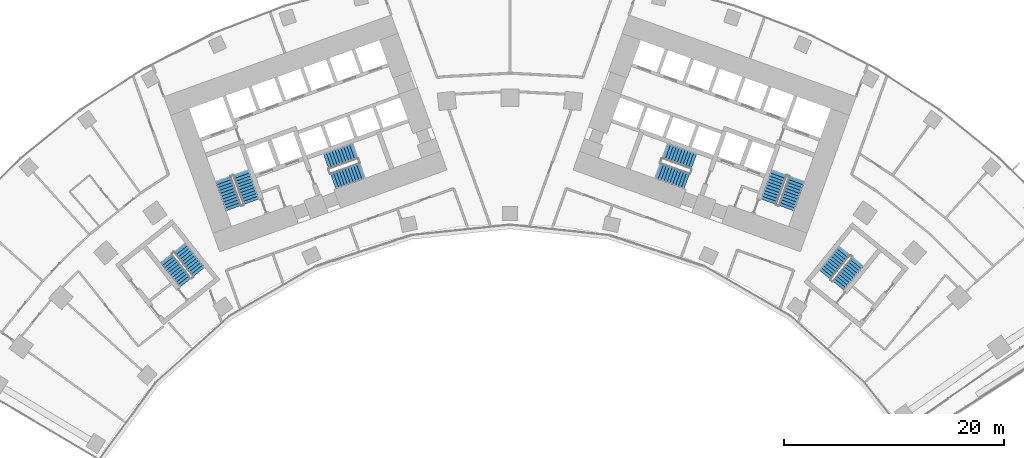
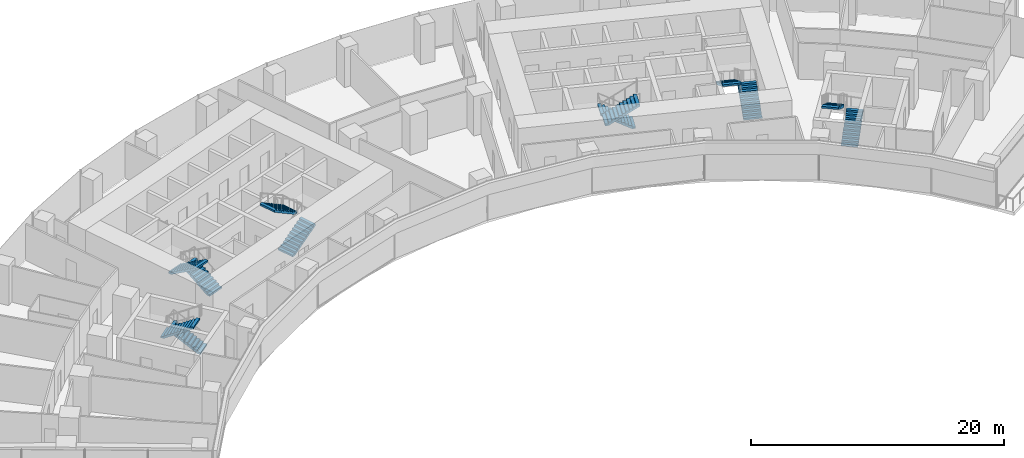
# One storey, part 19 of 21: 12 stair flights, 6 elements without a shape of their own.
"""IFC4 building model written with IfcOpenShell, lengths in metres."""

from ifc_helpers import new_model, si_unit, direction, frame, origin, place, context, subcontext, project, spatial, polyline, outline, extrude, material, type_object, element, aggregate, save


model = new_model("IFC4")

# Units and contexts
model_context = context("Model", 3, precision=1e-05, world=origin(), true_north=direction((0.0, 1.0)))
body_context = subcontext(model_context, "Body", "Model", "MODEL_VIEW")
ifc_project = project(units=[si_unit("LENGTHUNIT", "METRE"), si_unit("AREAUNIT", "SQUARE_METRE"), si_unit("VOLUMEUNIT", "CUBIC_METRE"), si_unit("PLANEANGLEUNIT", "RADIAN"), si_unit("MASSUNIT", "GRAM", prefix="KILO")], contexts=[model_context])

# Site, building, storey
site_placement = place(None, origin())
site = spatial("IfcSite", under=ifc_project, at=site_placement, CompositionType="ELEMENT")
building_placement = place(site_placement, origin())
building = spatial("IfcBuilding", under=site, at=building_placement, Name="Stone Belt Terrace Tower", CompositionType="ELEMENT")
storey_placement = place(building_placement, frame((0.0, 0.0, 56.60009765625)))
storey = spatial("IfcBuildingStorey", under=building, at=storey_placement, Name="L13", CompositionType="ELEMENT", Elevation=56.60009765625)

# Stair, stair flights
ifc_material = material(Name="Concrete B40", Category="concrete")
stair_type = type_object("IfcStairType", Name="Exit stair 1500", PredefinedType="HALF_TURN_STAIR", material=ifc_material)
stair_1_placement = place(storey_placement, origin())
stair_1 = element("IfcStair", 1, at=stair_1_placement, inside=storey, type_object=stair_type, Name="L13 Exit stair 1 core A", PredefinedType="HALF_TURN_STAIR")
stair_flight_type = type_object("IfcStairFlightType", Name="Stair flight 1500", PredefinedType="STRAIGHT", material=ifc_material)
stair_flight_1_placement = place(storey_placement, frame((-23.55322265625, 45.51318359375, 0.0), z_axis=(0.0, 0.0, 1.0), x_axis=(-0.338624396177, 0.940921632398, 0.0)))
stair_flight_1 = element("IfcStairFlight", 2, at=stair_flight_1_placement, type_object=stair_flight_type, Name="ST1A flight 1", NumberOfRisers=11, NumberOfTreads=10, PredefinedType="STRAIGHT", RiserHeight=0.172727273, TreadLength=0.28, context=body_context, shape_type="SweptSolid", body=[
    extrude(outline(polyline([(0.0, 0.0), (0.0, 0.172607421875), (0.280029296875, 0.172607421875), (0.280029296875, 0.345458984375), (0.56005859375, 0.345458984375), (0.56005859375, 0.51806640625), (0.840087890625, 0.51806640625), (0.840087890625, 0.69091796875), (1.1201171875, 0.69091796875), (1.1201171875, 0.863525390625), (1.39990234375, 0.863525390625), (1.39990234375, 1.036376953125), (1.679931640625, 1.036376953125), (1.679931640625, 1.208984375), (1.9599609375, 1.208984375), (1.9599609375, 1.3818359375), (2.239990234375, 1.3818359375), (2.239990234375, 1.554443359375), (2.52001953125, 1.554443359375), (2.52001953125, 1.727294921875), (2.800048828125, 1.727294921875), (2.800048828125, 1.89990234375), (2.800048828125, 1.551025390625), (0.285400390625, 0.0), (0.0, 0.0)])), frame((0.0, 0.75, 0.0), z_axis=(0.0, -1.0, 0.0), x_axis=(1.0, 0.0, 0.0)), (0.0, 0.0, 1.0), 1.5),
])
stair_flight_2_placement = place(storey_placement, frame((-26.10107421875, 47.572021484375, 1.89990234375), z_axis=(0.0, 0.0, 1.0), x_axis=(0.338624396177, -0.940921632398, 0.0)))
stair_flight_2 = element("IfcStairFlight", 3, at=stair_flight_2_placement, type_object=stair_flight_type, Name="ST1A flight 2", NumberOfRisers=11, NumberOfTreads=10, PredefinedType="STRAIGHT", RiserHeight=0.172727273, TreadLength=0.28, context=body_context, shape_type="SweptSolid", body=[
    extrude(outline(polyline([(0.0, 0.0), (0.0, 0.172607421875), (0.280029296875, 0.172607421875), (0.280029296875, 0.345458984375), (0.56005859375, 0.345458984375), (0.56005859375, 0.51806640625), (0.840087890625, 0.51806640625), (0.840087890625, 0.69091796875), (1.1201171875, 0.69091796875), (1.1201171875, 0.863525390625), (1.39990234375, 0.863525390625), (1.39990234375, 1.036376953125), (1.679931640625, 1.036376953125), (1.679931640625, 1.208984375), (1.9599609375, 1.208984375), (1.9599609375, 1.3818359375), (2.239990234375, 1.3818359375), (2.239990234375, 1.554443359375), (2.52001953125, 1.554443359375), (2.52001953125, 1.727294921875), (2.800048828125, 1.727294921875), (2.800048828125, 1.89990234375), (2.800048828125, 1.551025390625), (0.285400390625, 0.0), (0.0, 0.0)])), frame((0.0, 0.75, 0.0), z_axis=(0.0, -1.0, 0.0), x_axis=(1.0, 0.0, 0.0)), (0.0, 0.0, 1.0), 1.5),
])
aggregate(stair_1, [stair_flight_1, stair_flight_2])

stair_2_placement = place(storey_placement, origin())
stair_2 = element("IfcStair", 4, at=stair_2_placement, inside=storey, type_object=stair_type, Name="L13 Exit stair 2 core A", PredefinedType="HALF_TURN_STAIR")
stair_flight_3_placement = place(storey_placement, frame((-16.101318359375, 47.39794921875, 0.0), z_axis=(0.0, 0.0, 1.0), x_axis=(0.940921632398, 0.338624396177, 0.0)))
stair_flight_3 = element("IfcStairFlight", 5, at=stair_flight_3_placement, type_object=stair_flight_type, Name="ST2A flight 1", NumberOfRisers=11, NumberOfTreads=10, PredefinedType="STRAIGHT", RiserHeight=0.172727273, TreadLength=0.28, context=body_context, shape_type="SweptSolid", body=[
    extrude(outline(polyline([(0.0, 0.0), (0.0, 0.172607421875), (0.280029296875, 0.172607421875), (0.280029296875, 0.345458984375), (0.56005859375, 0.345458984375), (0.56005859375, 0.51806640625), (0.840087890625, 0.51806640625), (0.840087890625, 0.69091796875), (1.1201171875, 0.69091796875), (1.1201171875, 0.863525390625), (1.39990234375, 0.863525390625), (1.39990234375, 1.036376953125), (1.679931640625, 1.036376953125), (1.679931640625, 1.208984375), (1.9599609375, 1.208984375), (1.9599609375, 1.3818359375), (2.239990234375, 1.3818359375), (2.239990234375, 1.554443359375), (2.52001953125, 1.554443359375), (2.52001953125, 1.727294921875), (2.800048828125, 1.727294921875), (2.800048828125, 1.89990234375), (2.800048828125, 1.551025390625), (0.285400390625, 0.0), (0.0, 0.0)])), frame((0.0, 0.75, 0.0), z_axis=(0.0, -1.0, 0.0), x_axis=(1.0, 0.0, 0.0)), (0.0, 0.0, 1.0), 1.5),
])
stair_flight_4_placement = place(storey_placement, frame((-14.110107421875, 50.1337890625, 1.89990234375), z_axis=(0.0, 0.0, 1.0), x_axis=(-0.940921632398, -0.338624396177, 0.0)))
stair_flight_4 = element("IfcStairFlight", 6, at=stair_flight_4_placement, type_object=stair_flight_type, Name="ST2A flight 2", NumberOfRisers=11, NumberOfTreads=10, PredefinedType="STRAIGHT", RiserHeight=0.172727273, TreadLength=0.28, context=body_context, shape_type="SweptSolid", body=[
    extrude(outline(polyline([(0.0, 0.0), (0.0, 0.172607421875), (0.280029296875, 0.172607421875), (0.280029296875, 0.345458984375), (0.56005859375, 0.345458984375), (0.56005859375, 0.51806640625), (0.840087890625, 0.51806640625), (0.840087890625, 0.69091796875), (1.1201171875, 0.69091796875), (1.1201171875, 0.863525390625), (1.39990234375, 0.863525390625), (1.39990234375, 1.036376953125), (1.679931640625, 1.036376953125), (1.679931640625, 1.208984375), (1.9599609375, 1.208984375), (1.9599609375, 1.3818359375), (2.239990234375, 1.3818359375), (2.239990234375, 1.554443359375), (2.52001953125, 1.554443359375), (2.52001953125, 1.727294921875), (2.800048828125, 1.727294921875), (2.800048828125, 1.89990234375), (2.800048828125, 1.551025390625), (0.285400390625, 0.0), (0.0, 0.0)])), frame((0.0, 0.75, 0.0), z_axis=(0.0, -1.0, 0.0), x_axis=(1.0, 0.0, 0.0)), (0.0, 0.0, 1.0), 1.5),
])
aggregate(stair_2, [stair_flight_3, stair_flight_4])

stair_3_placement = place(storey_placement, origin())
stair_3 = element("IfcStair", 7, at=stair_3_placement, inside=storey, type_object=stair_type, Name="L13 Exit stair 1 core B", PredefinedType="HALF_TURN_STAIR")
stair_flight_5_placement = place(storey_placement, frame((25.15283203125, 44.9375, 0.0), z_axis=(0.0, 0.0, 1.0), x_axis=(0.338624396177, 0.940921632398, 0.0)))
stair_flight_5 = element("IfcStairFlight", 8, at=stair_flight_5_placement, type_object=stair_flight_type, Name="ST1B flight 1", NumberOfRisers=11, NumberOfTreads=10, PredefinedType="STRAIGHT", RiserHeight=0.172727273, TreadLength=0.28, context=body_context, shape_type="SweptSolid", body=[
    extrude(outline(polyline([(0.0, 0.0), (0.0, 0.172607421875), (0.280029296875, 0.172607421875), (0.280029296875, 0.345458984375), (0.56005859375, 0.345458984375), (0.56005859375, 0.51806640625), (0.840087890625, 0.51806640625), (0.840087890625, 0.69091796875), (1.1201171875, 0.69091796875), (1.1201171875, 0.863525390625), (1.39990234375, 0.863525390625), (1.39990234375, 1.036376953125), (1.679931640625, 1.036376953125), (1.679931640625, 1.208984375), (1.9599609375, 1.208984375), (1.9599609375, 1.3818359375), (2.239990234375, 1.3818359375), (2.239990234375, 1.554443359375), (2.52001953125, 1.554443359375), (2.52001953125, 1.727294921875), (2.800048828125, 1.727294921875), (2.800048828125, 1.89990234375), (2.800048828125, 1.551025390625), (0.285400390625, 0.0), (0.0, 0.0)])), frame((0.0, 0.75, 0.0), z_axis=(0.0, -1.0, 0.0), x_axis=(1.0, 0.0, 0.0)), (0.0, 0.0, 1.0), 1.5),
])
stair_flight_6_placement = place(storey_placement, frame((24.50146484375, 48.147705078125, 1.89990234375), z_axis=(0.0, 0.0, 1.0), x_axis=(-0.338624396177, -0.940921632398, 0.0)))
stair_flight_6 = element("IfcStairFlight", 9, at=stair_flight_6_placement, type_object=stair_flight_type, Name="ST1B flight 2", NumberOfRisers=11, NumberOfTreads=10, PredefinedType="STRAIGHT", RiserHeight=0.172727273, TreadLength=0.28, context=body_context, shape_type="SweptSolid", body=[
    extrude(outline(polyline([(0.0, 0.0), (0.0, 0.172607421875), (0.280029296875, 0.172607421875), (0.280029296875, 0.345458984375), (0.56005859375, 0.345458984375), (0.56005859375, 0.51806640625), (0.840087890625, 0.51806640625), (0.840087890625, 0.69091796875), (1.1201171875, 0.69091796875), (1.1201171875, 0.863525390625), (1.39990234375, 0.863525390625), (1.39990234375, 1.036376953125), (1.679931640625, 1.036376953125), (1.679931640625, 1.208984375), (1.9599609375, 1.208984375), (1.9599609375, 1.3818359375), (2.239990234375, 1.3818359375), (2.239990234375, 1.554443359375), (2.52001953125, 1.554443359375), (2.52001953125, 1.727294921875), (2.800048828125, 1.727294921875), (2.800048828125, 1.89990234375), (2.800048828125, 1.551025390625), (0.285400390625, 0.0), (0.0, 0.0)])), frame((0.0, 0.75, 0.0), z_axis=(0.0, -1.0, 0.0), x_axis=(1.0, 0.0, 0.0)), (0.0, 0.0, 1.0), 1.5),
])
aggregate(stair_3, [stair_flight_5, stair_flight_6])

stair_4_placement = place(storey_placement, origin())
stair_4 = element("IfcStair", 10, at=stair_4_placement, inside=storey, type_object=stair_type, Name="L13 Exit stair 2 core B", PredefinedType="HALF_TURN_STAIR")
stair_flight_7_placement = place(storey_placement, frame((16.74462890625, 49.185546875, 0.0), z_axis=(0.0, 0.0, 1.0), x_axis=(-0.940921632398, 0.338624396177, 0.0)))
stair_flight_7 = element("IfcStairFlight", 11, at=stair_flight_7_placement, type_object=stair_flight_type, Name="ST2B flight 1", NumberOfRisers=11, NumberOfTreads=10, PredefinedType="STRAIGHT", RiserHeight=0.172727273, TreadLength=0.28, context=body_context, shape_type="SweptSolid", body=[
    extrude(outline(polyline([(0.0, 0.0), (0.0, 0.172607421875), (0.280029296875, 0.172607421875), (0.280029296875, 0.345458984375), (0.56005859375, 0.345458984375), (0.56005859375, 0.51806640625), (0.840087890625, 0.51806640625), (0.840087890625, 0.69091796875), (1.1201171875, 0.69091796875), (1.1201171875, 0.863525390625), (1.39990234375, 0.863525390625), (1.39990234375, 1.036376953125), (1.679931640625, 1.036376953125), (1.679931640625, 1.208984375), (1.9599609375, 1.208984375), (1.9599609375, 1.3818359375), (2.239990234375, 1.3818359375), (2.239990234375, 1.554443359375), (2.52001953125, 1.554443359375), (2.52001953125, 1.727294921875), (2.800048828125, 1.727294921875), (2.800048828125, 1.89990234375), (2.800048828125, 1.551025390625), (0.285400390625, 0.0), (0.0, 0.0)])), frame((0.0, 0.75, 0.0), z_axis=(0.0, -1.0, 0.0), x_axis=(1.0, 0.0, 0.0)), (0.0, 0.0, 1.0), 1.5),
])
stair_flight_8_placement = place(storey_placement, frame((13.466796875, 48.345947265625, 1.89990234375), z_axis=(0.0, 0.0, 1.0), x_axis=(0.940921632398, -0.338624396177, 0.0)))
stair_flight_8 = element("IfcStairFlight", 12, at=stair_flight_8_placement, type_object=stair_flight_type, Name="ST2B flight 2", NumberOfRisers=11, NumberOfTreads=10, PredefinedType="STRAIGHT", RiserHeight=0.172727273, TreadLength=0.28, context=body_context, shape_type="SweptSolid", body=[
    extrude(outline(polyline([(0.0, 0.0), (0.0, 0.172607421875), (0.280029296875, 0.172607421875), (0.280029296875, 0.345458984375), (0.56005859375, 0.345458984375), (0.56005859375, 0.51806640625), (0.840087890625, 0.51806640625), (0.840087890625, 0.69091796875), (1.1201171875, 0.69091796875), (1.1201171875, 0.863525390625), (1.39990234375, 0.863525390625), (1.39990234375, 1.036376953125), (1.679931640625, 1.036376953125), (1.679931640625, 1.208984375), (1.9599609375, 1.208984375), (1.9599609375, 1.3818359375), (2.239990234375, 1.3818359375), (2.239990234375, 1.554443359375), (2.52001953125, 1.554443359375), (2.52001953125, 1.727294921875), (2.800048828125, 1.727294921875), (2.800048828125, 1.89990234375), (2.800048828125, 1.551025390625), (0.285400390625, 0.0), (0.0, 0.0)])), frame((0.0, 0.75, 0.0), z_axis=(0.0, -1.0, 0.0), x_axis=(1.0, 0.0, 0.0)), (0.0, 0.0, 1.0), 1.5),
])
aggregate(stair_4, [stair_flight_7, stair_flight_8])

stair_5_placement = place(storey_placement, origin())
stair_5 = element("IfcStair", 13, at=stair_5_placement, inside=storey, type_object=stair_type, Name="L13 Exit stair 3A", PredefinedType="HALF_TURN_STAIR")
stair_flight_9_placement = place(storey_placement, frame((-28.325439453125, 39.1240234375, 0.0), z_axis=(0.0, 0.0, 1.0), x_axis=(-0.623121363691, 0.782125160132, 0.0)))
stair_flight_9 = element("IfcStairFlight", 14, at=stair_flight_9_placement, type_object=stair_flight_type, Name="ST3A flight 1", NumberOfRisers=11, NumberOfTreads=10, PredefinedType="STRAIGHT", RiserHeight=0.172727273, TreadLength=0.28, context=body_context, shape_type="SweptSolid", body=[
    extrude(outline(polyline([(0.0, 0.0), (0.0, 0.172607421875), (0.280029296875, 0.172607421875), (0.280029296875, 0.345458984375), (0.56005859375, 0.345458984375), (0.56005859375, 0.51806640625), (0.840087890625, 0.51806640625), (0.840087890625, 0.69091796875), (1.1201171875, 0.69091796875), (1.1201171875, 0.863525390625), (1.39990234375, 0.863525390625), (1.39990234375, 1.036376953125), (1.679931640625, 1.036376953125), (1.679931640625, 1.208984375), (1.9599609375, 1.208984375), (1.9599609375, 1.3818359375), (2.239990234375, 1.3818359375), (2.239990234375, 1.554443359375), (2.52001953125, 1.554443359375), (2.52001953125, 1.727294921875), (2.800048828125, 1.727294921875), (2.800048828125, 1.89990234375), (2.800048828125, 1.551025390625), (0.285400390625, 0.0), (0.0, 0.0)])), frame((0.0, 0.675048828125, 0.0), z_axis=(0.0, -1.0, 0.0), x_axis=(1.0, 0.0, 0.0)), (0.0, 0.0, 1.0), 1.35009765625),
])
stair_flight_10_placement = place(storey_placement, frame((-31.282470703125, 40.34814453125, 1.89990234375), z_axis=(0.0, 0.0, 1.0), x_axis=(0.623121363691, -0.782125160132, 0.0)))
stair_flight_10 = element("IfcStairFlight", 15, at=stair_flight_10_placement, type_object=stair_flight_type, Name="ST3A flight 2", NumberOfRisers=11, NumberOfTreads=10, PredefinedType="STRAIGHT", RiserHeight=0.172727273, TreadLength=0.28, context=body_context, shape_type="SweptSolid", body=[
    extrude(outline(polyline([(0.0, 0.0), (0.0, 0.172607421875), (0.280029296875, 0.172607421875), (0.280029296875, 0.345458984375), (0.56005859375, 0.345458984375), (0.56005859375, 0.51806640625), (0.840087890625, 0.51806640625), (0.840087890625, 0.69091796875), (1.1201171875, 0.69091796875), (1.1201171875, 0.863525390625), (1.39990234375, 0.863525390625), (1.39990234375, 1.036376953125), (1.679931640625, 1.036376953125), (1.679931640625, 1.208984375), (1.9599609375, 1.208984375), (1.9599609375, 1.3818359375), (2.239990234375, 1.3818359375), (2.239990234375, 1.554443359375), (2.52001953125, 1.554443359375), (2.52001953125, 1.727294921875), (2.800048828125, 1.727294921875), (2.800048828125, 1.89990234375), (2.800048828125, 1.551025390625), (0.285400390625, 0.0), (0.0, 0.0)])), frame((0.0, 0.675048828125, 0.0), z_axis=(0.0, -1.0, 0.0), x_axis=(1.0, 0.0, 0.0)), (0.0, 0.0, 1.0), 1.35009765625),
])
aggregate(stair_5, [stair_flight_9, stair_flight_10])

stair_6_placement = place(storey_placement, origin())
stair_6 = element("IfcStair", 16, at=stair_6_placement, inside=storey, type_object=stair_type, Name="L13 Exit stair 3B", PredefinedType="HALF_TURN_STAIR")
stair_flight_11_placement = place(storey_placement, frame((29.88330078125, 37.887939453125, 0.0), z_axis=(0.0, 0.0, 1.0), x_axis=(0.630205749599, 0.776428176441, 0.0)))
stair_flight_11 = element("IfcStairFlight", 17, at=stair_flight_11_placement, type_object=stair_flight_type, Name="ST3B flight 1", NumberOfRisers=11, NumberOfTreads=10, PredefinedType="STRAIGHT", RiserHeight=0.172727273, TreadLength=0.28, context=body_context, shape_type="SweptSolid", body=[
    extrude(outline(polyline([(0.0, 0.0), (0.0, 0.172607421875), (0.280029296875, 0.172607421875), (0.280029296875, 0.345458984375), (0.56005859375, 0.345458984375), (0.56005859375, 0.51806640625), (0.840087890625, 0.51806640625), (0.840087890625, 0.69091796875), (1.1201171875, 0.69091796875), (1.1201171875, 0.863525390625), (1.39990234375, 0.863525390625), (1.39990234375, 1.036376953125), (1.679931640625, 1.036376953125), (1.679931640625, 1.208984375), (1.9599609375, 1.208984375), (1.9599609375, 1.3818359375), (2.239990234375, 1.3818359375), (2.239990234375, 1.554443359375), (2.52001953125, 1.554443359375), (2.52001953125, 1.727294921875), (2.800048828125, 1.727294921875), (2.800048828125, 1.89990234375), (2.800048828125, 1.551025390625), (0.285400390625, 0.0), (0.0, 0.0)])), frame((0.0, 0.675048828125, 0.0), z_axis=(0.0, -1.0, 0.0), x_axis=(1.0, 0.0, 0.0)), (0.0, 0.0, 1.0), 1.35009765625),
])
stair_flight_12_placement = place(storey_placement, frame((30.4443359375, 41.038818359375, 1.89990234375), z_axis=(0.0, 0.0, 1.0), x_axis=(-0.630205749599, -0.776428176441, 0.0)))
stair_flight_12 = element("IfcStairFlight", 18, at=stair_flight_12_placement, type_object=stair_flight_type, Name="ST3B flight 2", NumberOfRisers=11, NumberOfTreads=10, PredefinedType="STRAIGHT", RiserHeight=0.172727273, TreadLength=0.28, context=body_context, shape_type="SweptSolid", body=[
    extrude(outline(polyline([(0.0, 0.0), (0.0, 0.172607421875), (0.280029296875, 0.172607421875), (0.280029296875, 0.345458984375), (0.56005859375, 0.345458984375), (0.56005859375, 0.51806640625), (0.840087890625, 0.51806640625), (0.840087890625, 0.69091796875), (1.1201171875, 0.69091796875), (1.1201171875, 0.863525390625), (1.39990234375, 0.863525390625), (1.39990234375, 1.036376953125), (1.679931640625, 1.036376953125), (1.679931640625, 1.208984375), (1.9599609375, 1.208984375), (1.9599609375, 1.3818359375), (2.239990234375, 1.3818359375), (2.239990234375, 1.554443359375), (2.52001953125, 1.554443359375), (2.52001953125, 1.727294921875), (2.800048828125, 1.727294921875), (2.800048828125, 1.89990234375), (2.800048828125, 1.551025390625), (0.285400390625, 0.0), (0.0, 0.0)])), frame((0.0, 0.675048828125, 0.0), z_axis=(0.0, -1.0, 0.0), x_axis=(1.0, 0.0, 0.0)), (0.0, 0.0, 1.0), 1.35009765625),
])
aggregate(stair_6, [stair_flight_11, stair_flight_12])

save(model, "model.ifc")
